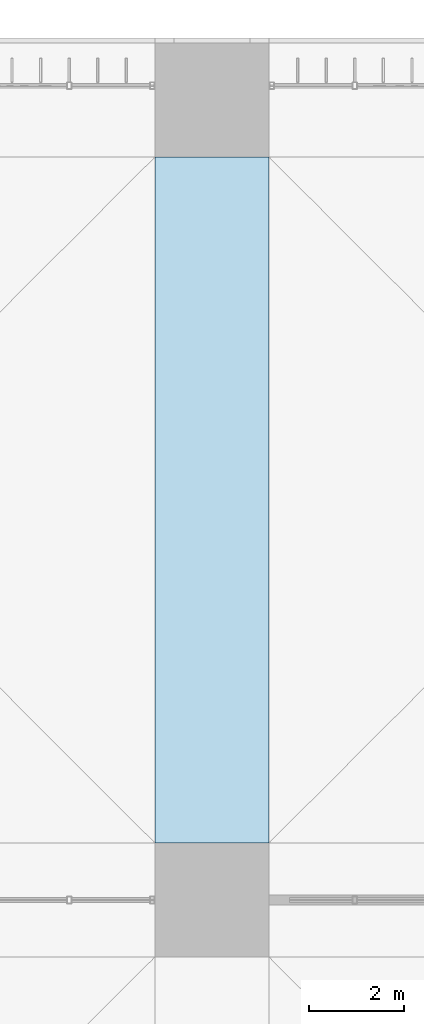
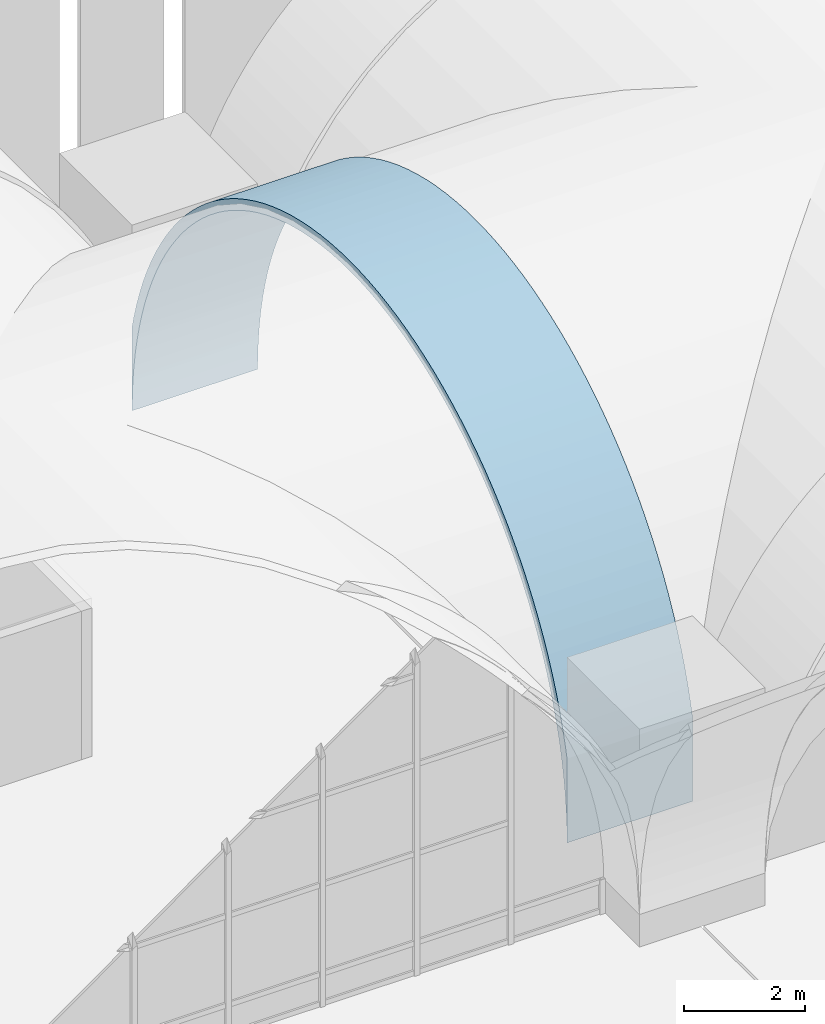
# One storey, part 134 of 169: 1 roof.
"""IFC4 building model written with IfcOpenShell, lengths in metres."""

from ifc_helpers import new_model, si_unit, direction, frame, origin, place, context, subcontext, project, spatial, polygons, material, layer, layer_set, type_object, element, save


model = new_model("IFC4")

# Units and contexts
model_context = context("Model", 3, precision=1e-05, world=origin(), true_north=direction((0.0, 1.0)))
body_context = subcontext(model_context, "Body", "Model", "MODEL_VIEW")
ifc_project = project(units=[si_unit("LENGTHUNIT", "METRE"), si_unit("AREAUNIT", "SQUARE_METRE"), si_unit("VOLUMEUNIT", "CUBIC_METRE"), si_unit("PLANEANGLEUNIT", "RADIAN"), si_unit("MASSUNIT", "GRAM", prefix="KILO")], contexts=[model_context])

# Site, building, storey
site_placement = place(None, origin())
site = spatial("IfcSite", under=ifc_project, at=site_placement, CompositionType="ELEMENT")
building_placement = place(site_placement, origin())
building = spatial("IfcBuilding", under=site, at=building_placement, Name="Verrick Yard Athletic Hall", CompositionType="ELEMENT")
storey_placement = place(building_placement, frame((0.0, 0.0, 4.39990234375)))
storey = spatial("IfcBuildingStorey", under=building, at=storey_placement, Name="L01", CompositionType="ELEMENT", Elevation=4.39990234375)

# Roof
ifc_material = material(Name="Concrete 35 MPa", Category="concrete")
ifc_layer = layer(ifc_material, 0.199951171875)
ifc_layer_set = layer_set([ifc_layer], Name="Arch rib 200")
roof_type = type_object("IfcRoofType", Name="Arch rib 200", PredefinedType="BARREL_ROOF", material=ifc_layer_set)
roof_placement = place(storey_placement, origin())
element("IfcRoof", 1, at=roof_placement, inside=storey, type_object=roof_type, Name="Vault rib X4-2", PredefinedType="BARREL_ROOF", context=body_context, shape_type="Tessellation", body=[
    polygons([(91.60009765625, 37.199951171875, 2.352294921875), (91.60009765625, 37.199951171875, 0.650146484375), (91.60009765625, 37.206787109375, 0.964111328125), (91.60009765625, 37.227294921875, 1.277587890625), (91.60009765625, 37.26171875, 1.58984375), (91.60009765625, 37.309326171875, 1.900390625), (91.60009765625, 37.37060546875, 2.20849609375), (91.60009765625, 37.4453125, 2.513671875), (91.60009765625, 37.533203125, 2.815185546875), (91.60009765625, 37.63427734375, 3.112548828125), (91.60009765625, 37.748046875, 3.405517578125), (91.60009765625, 37.87451171875, 3.693115234375), (91.60009765625, 38.013427734375, 3.974609375), (91.60009765625, 38.16455078125, 4.25), (91.60009765625, 38.32763671875, 4.518798828125), (91.60009765625, 38.502197265625, 4.77978515625), (91.60009765625, 38.68798828125, 5.033203125), (91.60009765625, 38.884521484375, 5.278076171875), (91.60009765625, 39.091552734375, 5.514404296875), (91.60009765625, 39.308837890625, 5.7412109375), (91.60009765625, 39.535888671875, 5.95849609375), (91.60009765625, 39.77197265625, 6.16552734375), (91.60009765625, 40.016845703125, 6.3623046875), (91.60009765625, 40.270263671875, 6.548095703125), (91.60009765625, 40.531494140625, 6.722412109375), (91.60009765625, 40.800048828125, 6.885498046875), (91.60009765625, 41.075439453125, 7.03662109375), (91.60009765625, 41.357177734375, 7.175537109375), (91.60009765625, 41.644775390625, 7.302001953125), (91.60009765625, 41.9375, 7.416015625), (91.60009765625, 42.23486328125, 7.516845703125), (91.60009765625, 42.53662109375, 7.604736328125), (91.60009765625, 42.841552734375, 7.679443359375), (91.60009765625, 43.149658203125, 7.74072265625), (91.60009765625, 43.460205078125, 7.78857421875), (91.60009765625, 43.7724609375, 7.82275390625), (91.60009765625, 44.0859375, 7.84326171875), (91.60009765625, 44.39990234375, 7.85009765625), (91.60009765625, 44.714111328125, 7.84326171875), (91.60009765625, 45.027587890625, 7.82275390625), (91.60009765625, 45.33984375, 7.78857421875), (91.60009765625, 45.650390625, 7.74072265625), (91.60009765625, 45.95849609375, 7.679443359375), (91.60009765625, 46.263427734375, 7.604736328125), (91.60009765625, 46.565185546875, 7.516845703125), (91.60009765625, 46.862548828125, 7.416015625), (91.60009765625, 47.1552734375, 7.302001953125), (91.60009765625, 47.44287109375, 7.175537109375), (91.60009765625, 47.724609375, 7.03662109375), (91.60009765625, 48.0, 6.885498046875), (91.60009765625, 48.2685546875, 6.722412109375), (91.60009765625, 48.52978515625, 6.548095703125), (91.60009765625, 48.783203125, 6.3623046875), (91.60009765625, 49.028076171875, 6.16552734375), (91.60009765625, 49.26416015625, 5.95849609375), (91.60009765625, 49.4912109375, 5.7412109375), (91.60009765625, 49.70849609375, 5.514404296875), (91.60009765625, 49.91552734375, 5.278076171875), (91.60009765625, 50.112060546875, 5.033203125), (91.60009765625, 50.2978515625, 4.77978515625), (91.60009765625, 50.472412109375, 4.518798828125), (91.60009765625, 50.635498046875, 4.25), (91.60009765625, 50.78662109375, 3.974609375), (91.60009765625, 50.92529296875, 3.693115234375), (91.60009765625, 51.052001953125, 3.405517578125), (91.60009765625, 51.165771484375, 3.112548828125), (91.60009765625, 51.266845703125, 2.815185546875), (91.60009765625, 51.354736328125, 2.513671875), (91.60009765625, 51.42919921875, 2.20849609375), (91.60009765625, 51.490478515625, 1.900390625), (91.60009765625, 51.538330078125, 1.58984375), (91.60009765625, 51.572509765625, 1.277587890625), (91.60009765625, 51.593017578125, 0.964111328125), (91.60009765625, 51.60009765625, 0.650146484375), (91.60009765625, 51.60009765625, 2.352294921875), (91.60009765625, 51.5478515625, 2.5654296875), (91.60009765625, 51.45751953125, 2.875244140625), (91.60009765625, 51.353759765625, 3.180908203125), (91.60009765625, 51.23681640625, 3.48193359375), (91.60009765625, 51.106689453125, 3.777587890625), (91.60009765625, 50.9638671875, 4.06689453125), (91.60009765625, 50.80859375, 4.35009765625), (91.60009765625, 50.64111328125, 4.6259765625), (91.60009765625, 50.461669921875, 4.89453125), (91.60009765625, 50.270751953125, 5.15478515625), (91.60009765625, 50.068603515625, 5.40673828125), (91.60009765625, 49.85595703125, 5.6494140625), (91.60009765625, 49.632568359375, 5.8828125), (91.60009765625, 49.3994140625, 6.10595703125), (91.60009765625, 49.156494140625, 6.31884765625), (91.60009765625, 48.90478515625, 6.52099609375), (91.60009765625, 48.64453125, 6.7119140625), (91.60009765625, 48.3759765625, 6.89111328125), (91.60009765625, 48.10009765625, 7.05859375), (91.60009765625, 47.81689453125, 7.214111328125), (91.60009765625, 47.52734375, 7.356689453125), (91.60009765625, 47.23193359375, 7.48681640625), (91.60009765625, 46.930908203125, 7.603759765625), (91.60009765625, 46.625244140625, 7.70751953125), (91.60009765625, 46.315185546875, 7.798095703125), (91.60009765625, 46.001708984375, 7.874755859375), (91.60009765625, 45.68505859375, 7.937744140625), (91.60009765625, 45.365966796875, 7.98681640625), (91.60009765625, 45.044921875, 8.02197265625), (91.60009765625, 44.722900390625, 8.043212890625), (91.60009765625, 44.39990234375, 8.050048828125), (91.60009765625, 44.0771484375, 8.043212890625), (91.60009765625, 43.7548828125, 8.02197265625), (91.60009765625, 43.43408203125, 7.98681640625), (91.60009765625, 43.114990234375, 7.937744140625), (91.60009765625, 42.79833984375, 7.874755859375), (91.60009765625, 42.484619140625, 7.798095703125), (91.60009765625, 42.1748046875, 7.70751953125), (91.60009765625, 41.869140625, 7.603759765625), (91.60009765625, 41.568115234375, 7.48681640625), (91.60009765625, 41.272705078125, 7.356689453125), (91.60009765625, 40.983154296875, 7.214111328125), (91.60009765625, 40.699951171875, 7.05859375), (91.60009765625, 40.424072265625, 6.89111328125), (91.60009765625, 40.155517578125, 6.7119140625), (91.60009765625, 39.895263671875, 6.52099609375), (91.60009765625, 39.643310546875, 6.31884765625), (91.60009765625, 39.400634765625, 6.10595703125), (91.60009765625, 39.16748046875, 5.8828125), (91.60009765625, 38.944091796875, 5.6494140625), (91.60009765625, 38.731201171875, 5.40673828125), (91.60009765625, 38.529296875, 5.15478515625), (91.60009765625, 38.33837890625, 4.89453125), (91.60009765625, 38.158935546875, 4.6259765625), (91.60009765625, 37.991455078125, 4.35009765625), (91.60009765625, 37.836181640625, 4.06689453125), (91.60009765625, 37.693359375, 3.777587890625), (91.60009765625, 37.563232421875, 3.48193359375), (91.60009765625, 37.4462890625, 3.180908203125), (91.60009765625, 37.342529296875, 2.875244140625), (91.60009765625, 37.252197265625, 2.5654296875), (89.199951171875, 37.199951171875, 2.352294921875), (89.199951171875, 37.199951171875, 0.650146484375), (89.199951171875, 37.206787109375, 0.964111328125), (89.199951171875, 37.227294921875, 1.277587890625), (89.199951171875, 37.26171875, 1.58984375), (89.199951171875, 37.309326171875, 1.900390625), (89.199951171875, 37.37060546875, 2.20849609375), (89.199951171875, 37.4453125, 2.513671875), (89.199951171875, 37.533203125, 2.815185546875), (89.199951171875, 37.63427734375, 3.112548828125), (89.199951171875, 37.748046875, 3.405517578125), (89.199951171875, 37.87451171875, 3.693115234375), (89.199951171875, 38.013427734375, 3.974609375), (89.199951171875, 38.16455078125, 4.25), (89.199951171875, 38.32763671875, 4.518798828125), (89.199951171875, 38.502197265625, 4.77978515625), (89.199951171875, 38.68798828125, 5.033203125), (89.199951171875, 38.884521484375, 5.278076171875), (89.199951171875, 39.091552734375, 5.514404296875), (89.199951171875, 39.308837890625, 5.7412109375), (89.199951171875, 39.535888671875, 5.95849609375), (89.199951171875, 39.77197265625, 6.16552734375), (89.199951171875, 40.016845703125, 6.3623046875), (89.199951171875, 40.270263671875, 6.548095703125), (89.199951171875, 40.531494140625, 6.722412109375), (89.199951171875, 40.800048828125, 6.885498046875), (89.199951171875, 41.075439453125, 7.03662109375), (89.199951171875, 41.357177734375, 7.175537109375), (89.199951171875, 41.644775390625, 7.302001953125), (89.199951171875, 41.9375, 7.416015625), (89.199951171875, 42.23486328125, 7.516845703125), (89.199951171875, 42.53662109375, 7.604736328125), (89.199951171875, 42.841552734375, 7.679443359375), (89.199951171875, 43.149658203125, 7.74072265625), (89.199951171875, 43.460205078125, 7.78857421875), (89.199951171875, 43.7724609375, 7.82275390625), (89.199951171875, 44.0859375, 7.84326171875), (89.199951171875, 44.39990234375, 7.85009765625), (89.199951171875, 44.714111328125, 7.84326171875), (89.199951171875, 45.027587890625, 7.82275390625), (89.199951171875, 45.33984375, 7.78857421875), (89.199951171875, 45.650390625, 7.74072265625), (89.199951171875, 45.95849609375, 7.679443359375), (89.199951171875, 46.263427734375, 7.604736328125), (89.199951171875, 46.565185546875, 7.516845703125), (89.199951171875, 46.862548828125, 7.416015625), (89.199951171875, 47.1552734375, 7.302001953125), (89.199951171875, 47.44287109375, 7.175537109375), (89.199951171875, 47.724609375, 7.03662109375), (89.199951171875, 48.0, 6.885498046875), (89.199951171875, 48.2685546875, 6.722412109375), (89.199951171875, 48.52978515625, 6.548095703125), (89.199951171875, 48.783203125, 6.3623046875), (89.199951171875, 49.028076171875, 6.16552734375), (89.199951171875, 49.26416015625, 5.95849609375), (89.199951171875, 49.4912109375, 5.7412109375), (89.199951171875, 49.70849609375, 5.514404296875), (89.199951171875, 49.91552734375, 5.278076171875), (89.199951171875, 50.112060546875, 5.033203125), (89.199951171875, 50.2978515625, 4.77978515625), (89.199951171875, 50.472412109375, 4.518798828125), (89.199951171875, 50.635498046875, 4.25), (89.199951171875, 50.78662109375, 3.974609375), (89.199951171875, 50.92529296875, 3.693115234375), (89.199951171875, 51.052001953125, 3.405517578125), (89.199951171875, 51.165771484375, 3.112548828125), (89.199951171875, 51.266845703125, 2.815185546875), (89.199951171875, 51.354736328125, 2.513671875), (89.199951171875, 51.42919921875, 2.20849609375), (89.199951171875, 51.490478515625, 1.900390625), (89.199951171875, 51.538330078125, 1.58984375), (89.199951171875, 51.572509765625, 1.277587890625), (89.199951171875, 51.593017578125, 0.964111328125), (89.199951171875, 51.60009765625, 0.650146484375), (89.199951171875, 51.60009765625, 2.352294921875), (89.199951171875, 51.5478515625, 2.5654296875), (89.199951171875, 51.45751953125, 2.875244140625), (89.199951171875, 51.353759765625, 3.180908203125), (89.199951171875, 51.23681640625, 3.48193359375), (89.199951171875, 51.106689453125, 3.777587890625), (89.199951171875, 50.9638671875, 4.06689453125), (89.199951171875, 50.80859375, 4.35009765625), (89.199951171875, 50.64111328125, 4.6259765625), (89.199951171875, 50.461669921875, 4.89453125), (89.199951171875, 50.270751953125, 5.15478515625), (89.199951171875, 50.068603515625, 5.40673828125), (89.199951171875, 49.85595703125, 5.6494140625), (89.199951171875, 49.632568359375, 5.8828125), (89.199951171875, 49.3994140625, 6.10595703125), (89.199951171875, 49.156494140625, 6.31884765625), (89.199951171875, 48.90478515625, 6.52099609375), (89.199951171875, 48.64453125, 6.7119140625), (89.199951171875, 48.3759765625, 6.89111328125), (89.199951171875, 48.10009765625, 7.05859375), (89.199951171875, 47.81689453125, 7.214111328125), (89.199951171875, 47.52734375, 7.356689453125), (89.199951171875, 47.23193359375, 7.48681640625), (89.199951171875, 46.930908203125, 7.603759765625), (89.199951171875, 46.625244140625, 7.70751953125), (89.199951171875, 46.315185546875, 7.798095703125), (89.199951171875, 46.001708984375, 7.874755859375), (89.199951171875, 45.68505859375, 7.937744140625), (89.199951171875, 45.365966796875, 7.98681640625), (89.199951171875, 45.044921875, 8.02197265625), (89.199951171875, 44.722900390625, 8.043212890625), (89.199951171875, 44.39990234375, 8.050048828125), (89.199951171875, 44.0771484375, 8.043212890625), (89.199951171875, 43.7548828125, 8.02197265625), (89.199951171875, 43.43408203125, 7.98681640625), (89.199951171875, 43.114990234375, 7.937744140625), (89.199951171875, 42.79833984375, 7.874755859375), (89.199951171875, 42.484619140625, 7.798095703125), (89.199951171875, 42.1748046875, 7.70751953125), (89.199951171875, 41.869140625, 7.603759765625), (89.199951171875, 41.568115234375, 7.48681640625), (89.199951171875, 41.272705078125, 7.356689453125), (89.199951171875, 40.983154296875, 7.214111328125), (89.199951171875, 40.699951171875, 7.05859375), (89.199951171875, 40.424072265625, 6.89111328125), (89.199951171875, 40.155517578125, 6.7119140625), (89.199951171875, 39.895263671875, 6.52099609375), (89.199951171875, 39.643310546875, 6.31884765625), (89.199951171875, 39.400634765625, 6.10595703125), (89.199951171875, 39.16748046875, 5.8828125), (89.199951171875, 38.944091796875, 5.6494140625), (89.199951171875, 38.731201171875, 5.40673828125), (89.199951171875, 38.529296875, 5.15478515625), (89.199951171875, 38.33837890625, 4.89453125), (89.199951171875, 38.158935546875, 4.6259765625), (89.199951171875, 37.991455078125, 4.35009765625), (89.199951171875, 37.836181640625, 4.06689453125), (89.199951171875, 37.693359375, 3.777587890625), (89.199951171875, 37.563232421875, 3.48193359375), (89.199951171875, 37.4462890625, 3.180908203125), (89.199951171875, 37.342529296875, 2.875244140625), (89.199951171875, 37.252197265625, 2.5654296875)], [[[1, 2, 3]], [[137, 139, 138]], [[136, 1, 3]], [[272, 139, 137]], [[136, 3, 4]], [[272, 140, 139]], [[136, 4, 5]], [[272, 141, 140]], [[136, 5, 6]], [[272, 142, 141]], [[136, 6, 7]], [[272, 143, 142]], [[136, 7, 8]], [[272, 144, 143]], [[136, 8, 9]], [[272, 145, 144]], [[136, 9, 10]], [[272, 146, 145]], [[136, 10, 11]], [[272, 147, 146]], [[136, 11, 12]], [[272, 148, 147]], [[136, 12, 13]], [[272, 149, 148]], [[73, 74, 75]], [[209, 211, 210]], [[72, 73, 75]], [[208, 211, 209]], [[71, 72, 75]], [[207, 211, 208]], [[70, 71, 75]], [[206, 211, 207]], [[69, 70, 75]], [[205, 211, 206]], [[68, 69, 75]], [[204, 211, 205]], [[67, 68, 75]], [[203, 211, 204]], [[66, 67, 75]], [[202, 211, 203]], [[65, 66, 75]], [[201, 211, 202]], [[64, 65, 75]], [[200, 211, 201]], [[63, 64, 75]], [[199, 211, 200]], [[63, 75, 76]], [[199, 212, 211]], [[63, 76, 77]], [[199, 213, 212]], [[62, 63, 77]], [[198, 213, 199]], [[62, 77, 78]], [[198, 214, 213]], [[61, 62, 78]], [[197, 214, 198]], [[61, 78, 79]], [[197, 215, 214]], [[60, 61, 79]], [[196, 215, 197]], [[60, 79, 80]], [[196, 216, 215]], [[59, 60, 80]], [[195, 216, 196]], [[59, 80, 81]], [[195, 217, 216]], [[58, 59, 81]], [[194, 217, 195]], [[58, 81, 82]], [[194, 218, 217]], [[57, 58, 82]], [[193, 218, 194]], [[57, 82, 83]], [[193, 219, 218]], [[56, 57, 83]], [[192, 219, 193]], [[56, 83, 84]], [[192, 220, 219]], [[55, 56, 84]], [[191, 220, 192]], [[55, 84, 85]], [[191, 221, 220]], [[54, 55, 85]], [[190, 221, 191]], [[54, 85, 86]], [[190, 222, 221]], [[53, 54, 86]], [[189, 222, 190]], [[53, 86, 87]], [[189, 223, 222]], [[52, 53, 87]], [[188, 223, 189]], [[52, 87, 88]], [[188, 224, 223]], [[51, 52, 88]], [[187, 224, 188]], [[51, 88, 89]], [[187, 225, 224]], [[50, 51, 89]], [[186, 225, 187]], [[50, 89, 90]], [[186, 226, 225]], [[49, 50, 90]], [[185, 226, 186]], [[49, 90, 91]], [[185, 227, 226]], [[48, 49, 91]], [[184, 227, 185]], [[48, 91, 92]], [[184, 228, 227]], [[47, 48, 92]], [[183, 228, 184]], [[47, 92, 93]], [[183, 229, 228]], [[46, 47, 93]], [[182, 229, 183]], [[46, 93, 94]], [[182, 230, 229]], [[45, 46, 94]], [[181, 230, 182]], [[45, 94, 95]], [[181, 231, 230]], [[44, 45, 95]], [[180, 231, 181]], [[44, 95, 96]], [[180, 232, 231]], [[43, 44, 96]], [[179, 232, 180]], [[43, 96, 97]], [[179, 233, 232]], [[42, 43, 97]], [[178, 233, 179]], [[42, 97, 98]], [[178, 234, 233]], [[41, 42, 98]], [[177, 234, 178]], [[41, 98, 99]], [[177, 235, 234]], [[40, 41, 99]], [[176, 235, 177]], [[40, 99, 100]], [[176, 236, 235]], [[39, 40, 100]], [[175, 236, 176]], [[39, 100, 101]], [[175, 237, 236]], [[38, 39, 101]], [[174, 237, 175]], [[38, 101, 102]], [[174, 238, 237]], [[37, 38, 102]], [[173, 238, 174]], [[37, 102, 103]], [[173, 239, 238]], [[36, 37, 103]], [[172, 239, 173]], [[36, 103, 104]], [[172, 240, 239]], [[35, 36, 104]], [[171, 240, 172]], [[35, 104, 105]], [[171, 241, 240]], [[34, 35, 105]], [[170, 241, 171]], [[34, 105, 106]], [[170, 242, 241]], [[33, 34, 106]], [[169, 242, 170]], [[33, 106, 107]], [[169, 243, 242]], [[32, 33, 107]], [[168, 243, 169]], [[32, 107, 108]], [[168, 244, 243]], [[31, 32, 108]], [[167, 244, 168]], [[31, 108, 109]], [[167, 245, 244]], [[30, 31, 109]], [[166, 245, 167]], [[30, 109, 110]], [[166, 246, 245]], [[29, 30, 110]], [[165, 246, 166]], [[29, 110, 111]], [[165, 247, 246]], [[28, 29, 111]], [[164, 247, 165]], [[28, 111, 112]], [[164, 248, 247]], [[27, 28, 112]], [[163, 248, 164]], [[27, 112, 113]], [[163, 249, 248]], [[26, 27, 113]], [[162, 249, 163]], [[26, 113, 114]], [[162, 250, 249]], [[25, 26, 114]], [[161, 250, 162]], [[25, 114, 115]], [[161, 251, 250]], [[24, 25, 115]], [[160, 251, 161]], [[24, 115, 116]], [[160, 252, 251]], [[23, 24, 116]], [[159, 252, 160]], [[23, 116, 117]], [[159, 253, 252]], [[22, 23, 117]], [[158, 253, 159]], [[22, 117, 118]], [[158, 254, 253]], [[21, 22, 118]], [[157, 254, 158]], [[21, 118, 119]], [[157, 255, 254]], [[20, 21, 119]], [[156, 255, 157]], [[20, 119, 120]], [[156, 256, 255]], [[19, 20, 120]], [[155, 256, 156]], [[19, 120, 121]], [[155, 257, 256]], [[18, 19, 121]], [[154, 257, 155]], [[18, 121, 122]], [[154, 258, 257]], [[17, 18, 122]], [[153, 258, 154]], [[17, 122, 123]], [[153, 259, 258]], [[16, 17, 123]], [[152, 259, 153]], [[16, 123, 124]], [[152, 260, 259]], [[15, 16, 124]], [[151, 260, 152]], [[15, 124, 125]], [[151, 261, 260]], [[14, 15, 125]], [[150, 261, 151]], [[14, 125, 126]], [[150, 262, 261]], [[13, 14, 126]], [[149, 262, 150]], [[136, 13, 126]], [[272, 262, 149]], [[136, 126, 127]], [[272, 263, 262]], [[136, 127, 128]], [[272, 264, 263]], [[136, 128, 129]], [[272, 265, 264]], [[136, 129, 130]], [[272, 266, 265]], [[136, 130, 131]], [[272, 267, 266]], [[136, 131, 132]], [[272, 268, 267]], [[136, 132, 133]], [[272, 269, 268]], [[136, 133, 134]], [[272, 270, 269]], [[134, 135, 136]], [[270, 272, 271]], [[1, 138, 2]], [[1, 137, 138]], [[2, 139, 3]], [[2, 138, 139]], [[3, 140, 4]], [[3, 139, 140]], [[4, 141, 5]], [[4, 140, 141]], [[5, 142, 6]], [[5, 141, 142]], [[6, 143, 7]], [[6, 142, 143]], [[7, 144, 8]], [[7, 143, 144]], [[8, 145, 9]], [[8, 144, 145]], [[9, 146, 10]], [[9, 145, 146]], [[10, 147, 11]], [[10, 146, 147]], [[11, 148, 12]], [[11, 147, 148]], [[12, 149, 13]], [[12, 148, 149]], [[13, 150, 14]], [[13, 149, 150]], [[14, 151, 15]], [[14, 150, 151]], [[15, 152, 16]], [[15, 151, 152]], [[16, 153, 17]], [[16, 152, 153]], [[17, 154, 18]], [[17, 153, 154]], [[18, 155, 19]], [[18, 154, 155]], [[19, 156, 20]], [[19, 155, 156]], [[20, 157, 21]], [[20, 156, 157]], [[21, 158, 22]], [[21, 157, 158]], [[22, 159, 23]], [[22, 158, 159]], [[23, 160, 24]], [[23, 159, 160]], [[24, 161, 25]], [[24, 160, 161]], [[25, 162, 26]], [[25, 161, 162]], [[26, 163, 27]], [[26, 162, 163]], [[27, 164, 28]], [[27, 163, 164]], [[28, 165, 29]], [[28, 164, 165]], [[29, 166, 30]], [[29, 165, 166]], [[30, 167, 31]], [[30, 166, 167]], [[31, 168, 32]], [[31, 167, 168]], [[32, 169, 33]], [[32, 168, 169]], [[33, 170, 34]], [[33, 169, 170]], [[34, 171, 35]], [[34, 170, 171]], [[35, 172, 36]], [[35, 171, 172]], [[36, 173, 37]], [[36, 172, 173]], [[37, 174, 38]], [[37, 173, 174]], [[38, 175, 39]], [[38, 174, 175]], [[39, 176, 40]], [[39, 175, 176]], [[40, 177, 41]], [[40, 176, 177]], [[41, 178, 42]], [[41, 177, 178]], [[42, 179, 43]], [[42, 178, 179]], [[43, 180, 44]], [[43, 179, 180]], [[44, 181, 45]], [[44, 180, 181]], [[45, 182, 46]], [[45, 181, 182]], [[46, 183, 47]], [[46, 182, 183]], [[47, 184, 48]], [[47, 183, 184]], [[48, 185, 49]], [[48, 184, 185]], [[49, 186, 50]], [[49, 185, 186]], [[50, 187, 51]], [[50, 186, 187]], [[51, 188, 52]], [[51, 187, 188]], [[52, 189, 53]], [[52, 188, 189]], [[53, 190, 54]], [[53, 189, 190]], [[54, 191, 55]], [[54, 190, 191]], [[55, 192, 56]], [[55, 191, 192]], [[56, 193, 57]], [[56, 192, 193]], [[57, 194, 58]], [[57, 193, 194]], [[58, 195, 59]], [[58, 194, 195]], [[59, 196, 60]], [[59, 195, 196]], [[60, 197, 61]], [[60, 196, 197]], [[61, 198, 62]], [[61, 197, 198]], [[62, 199, 63]], [[62, 198, 199]], [[63, 200, 64]], [[63, 199, 200]], [[64, 201, 65]], [[64, 200, 201]], [[65, 202, 66]], [[65, 201, 202]], [[66, 203, 67]], [[66, 202, 203]], [[67, 204, 68]], [[67, 203, 204]], [[68, 205, 69]], [[68, 204, 205]], [[69, 206, 70]], [[69, 205, 206]], [[70, 207, 71]], [[70, 206, 207]], [[71, 208, 72]], [[71, 207, 208]], [[72, 209, 73]], [[72, 208, 209]], [[73, 210, 74]], [[73, 209, 210]], [[74, 211, 75]], [[74, 210, 211]], [[75, 212, 76]], [[75, 211, 212]], [[76, 213, 77]], [[76, 212, 213]], [[77, 214, 78]], [[77, 213, 214]], [[78, 215, 79]], [[78, 214, 215]], [[79, 216, 80]], [[79, 215, 216]], [[80, 217, 81]], [[80, 216, 217]], [[81, 218, 82]], [[81, 217, 218]], [[82, 219, 83]], [[82, 218, 219]], [[83, 220, 84]], [[83, 219, 220]], [[84, 221, 85]], [[84, 220, 221]], [[85, 222, 86]], [[85, 221, 222]], [[86, 223, 87]], [[86, 222, 223]], [[87, 224, 88]], [[87, 223, 224]], [[88, 225, 89]], [[88, 224, 225]], [[89, 226, 90]], [[89, 225, 226]], [[90, 227, 91]], [[90, 226, 227]], [[91, 228, 92]], [[91, 227, 228]], [[92, 229, 93]], [[92, 228, 229]], [[93, 230, 94]], [[93, 229, 230]], [[94, 231, 95]], [[94, 230, 231]], [[95, 232, 96]], [[95, 231, 232]], [[96, 233, 97]], [[96, 232, 233]], [[97, 234, 98]], [[97, 233, 234]], [[98, 235, 99]], [[98, 234, 235]], [[99, 236, 100]], [[99, 235, 236]], [[100, 237, 101]], [[100, 236, 237]], [[101, 238, 102]], [[101, 237, 238]], [[102, 239, 103]], [[102, 238, 239]], [[103, 240, 104]], [[103, 239, 240]], [[104, 241, 105]], [[104, 240, 241]], [[105, 242, 106]], [[105, 241, 242]], [[106, 243, 107]], [[106, 242, 243]], [[107, 244, 108]], [[107, 243, 244]], [[108, 245, 109]], [[108, 244, 245]], [[109, 246, 110]], [[109, 245, 246]], [[110, 247, 111]], [[110, 246, 247]], [[111, 248, 112]], [[111, 247, 248]], [[112, 249, 113]], [[112, 248, 249]], [[113, 250, 114]], [[113, 249, 250]], [[114, 251, 115]], [[114, 250, 251]], [[115, 252, 116]], [[115, 251, 252]], [[116, 253, 117]], [[116, 252, 253]], [[117, 254, 118]], [[117, 253, 254]], [[118, 255, 119]], [[118, 254, 255]], [[119, 256, 120]], [[119, 255, 256]], [[120, 257, 121]], [[120, 256, 257]], [[121, 258, 122]], [[121, 257, 258]], [[122, 259, 123]], [[122, 258, 259]], [[123, 260, 124]], [[123, 259, 260]], [[124, 261, 125]], [[124, 260, 261]], [[125, 262, 126]], [[125, 261, 262]], [[126, 263, 127]], [[126, 262, 263]], [[127, 264, 128]], [[127, 263, 264]], [[128, 265, 129]], [[128, 264, 265]], [[129, 266, 130]], [[129, 265, 266]], [[130, 267, 131]], [[130, 266, 267]], [[131, 268, 132]], [[131, 267, 268]], [[132, 269, 133]], [[132, 268, 269]], [[133, 270, 134]], [[133, 269, 270]], [[134, 271, 135]], [[134, 270, 271]], [[135, 272, 136]], [[135, 271, 272]], [[136, 137, 1]], [[136, 272, 137]]], closed=True),
])

save(model, "model.ifc")
